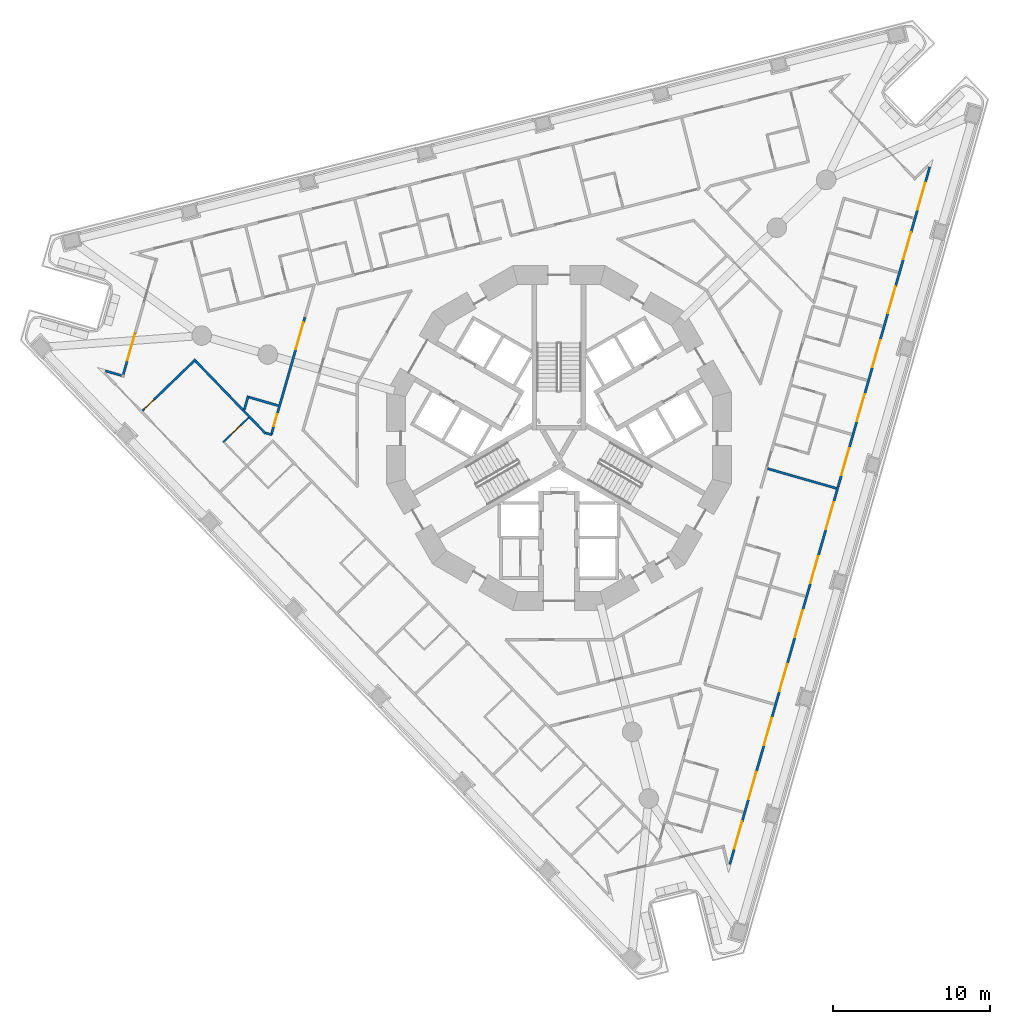
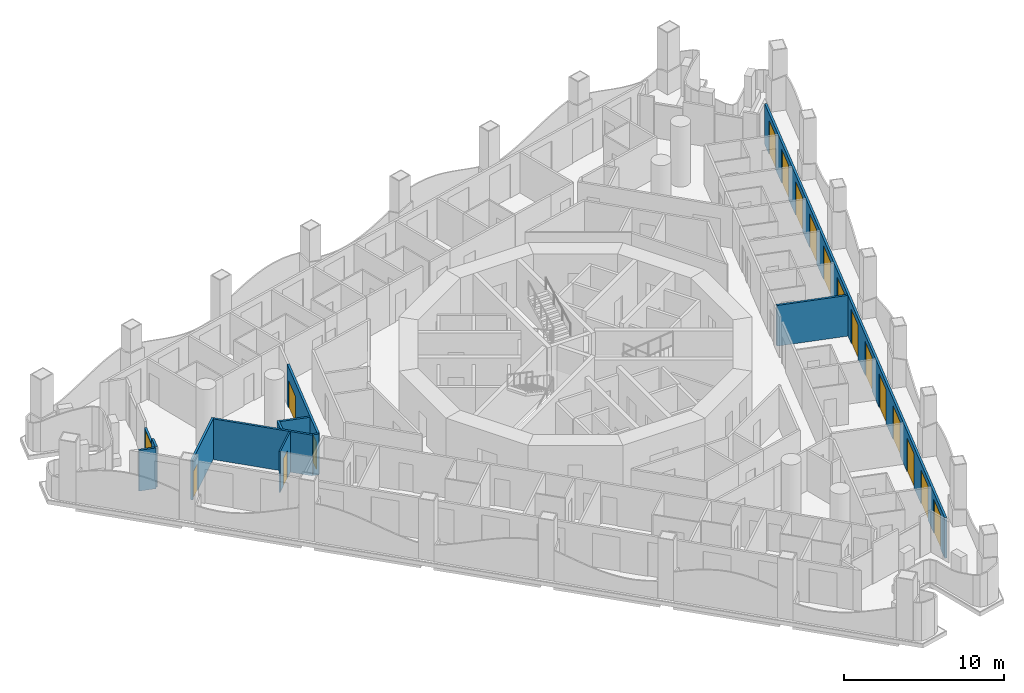
# One storey, part 6 of 20: 18 doors, 12 walls, 18 openings.
"""IFC4 building model written with IfcOpenShell, lengths in metres."""

import ifcopenshell
import ifcopenshell.guid

model = None  # the IFC model being written
_history = None  # IfcOwnerHistory: only IFC2X3 demands one
_inside = {}  # id of a spatial element -> (the spatial element, [elements in it])
_under = {}  # id of a project, library or spatial element -> (it, [spatial elements below it])
_declared = {}  # id of a project -> (the project, [libraries it declares])
_typed = {}  # id of a type object -> (the type object, [elements of that type])
_made_of = {}  # id of a material, layer set ... -> (it, [elements and type objects made of it])


def new_model(schema):
    """Start an empty IFC model of exactly this schema.

    Asked for "IFC4X3", IfcOpenShell would pick the latest addendum, in which some entities
    have other attributes; the version numbers below select the first issue.
    IFC2X3 requires an IfcOwnerHistory on every rooted entity: one is made here for all.
    """
    global model, _history
    if schema == "IFC4X3":
        model = ifcopenshell.file(schema_version=(4, 3, 0, 0))
    else:
        model = ifcopenshell.file(schema=schema)
    _inside.clear()
    _under.clear()
    _declared.clear()
    _typed.clear()
    _made_of.clear()
    _history = None
    if model.schema == "IFC2X3":
        org = make("IfcOrganization", Name="unknown")
        user = make(
            "IfcPersonAndOrganization",
            ThePerson=make("IfcPerson", FamilyName="unknown"),
            TheOrganization=org,
        )
        app = make(
            "IfcApplication",
            ApplicationDeveloper=org,
            Version="unknown",
            ApplicationFullName="unknown",
            ApplicationIdentifier="unknown",
        )
        _history = make(
            "IfcOwnerHistory",
            OwningUser=user,
            OwningApplication=app,
            ChangeAction="ADDED",
            CreationDate=0,
        )
    return model


def make(cls, **values):
    """One entity of the class cls with the attributes given. An attribute that is None is left unset."""
    return model.create_entity(
        cls, **{name: value for name, value in values.items() if value is not None}
    )


def rooted(cls, **values):
    """An entity with a GlobalId (a new one), such as an element, a storey or a relation."""
    return make(cls, GlobalId=ifcopenshell.guid.new(), OwnerHistory=_history, **values)


def si_unit(unit_type, name, prefix=None):
    """IfcSIUnit, for example si_unit("LENGTHUNIT", "METRE", prefix="MILLI")."""
    return make("IfcSIUnit", UnitType=unit_type, Prefix=prefix, Name=name)


def assignment(units):
    """IfcUnitAssignment: the units of a project."""
    return None if units is None else make("IfcUnitAssignment", Units=units)


def point(xyz):
    """IfcCartesianPoint."""
    return None if xyz is None else make("IfcCartesianPoint", Coordinates=xyz)


def direction(xyz):
    """IfcDirection."""
    return None if xyz is None else make("IfcDirection", DirectionRatios=xyz)


def frame(location, z_axis=None, x_axis=None):
    """IfcAxis2Placement3D, a coordinate frame: its origin and axes. An axis left out is left unset."""
    return make(
        "IfcAxis2Placement3D",
        Location=point(location),
        Axis=direction(z_axis),
        RefDirection=direction(x_axis),
    )


def frame_2d(location, x_axis=None):
    """IfcAxis2Placement2D, a coordinate frame in the plane: its origin and x axis."""
    return make(
        "IfcAxis2Placement2D", Location=point(location), RefDirection=direction(x_axis)
    )


def origin():
    """The frame at (0, 0, 0) with its axes left unset."""
    return frame((0.0, 0.0, 0.0))


def place(relative_to, where):
    """IfcLocalPlacement: puts the frame where relative to a parent placement (None: the world)."""
    return make(
        "IfcLocalPlacement", PlacementRelTo=relative_to, RelativePlacement=where
    )


def context(
    kind, dimensions, precision=None, world=None, true_north=None, identifier=None
):
    """IfcGeometricRepresentationContext, for example the 3D "Model" context."""
    return make(
        "IfcGeometricRepresentationContext",
        ContextIdentifier=identifier,
        ContextType=kind,
        CoordinateSpaceDimension=dimensions,
        Precision=precision,
        WorldCoordinateSystem=world,
        TrueNorth=true_north,
    )


def subcontext(parent, identifier, kind, view, scale=None):
    """IfcGeometricRepresentationSubContext, for example "Body" below "Model"."""
    return make(
        "IfcGeometricRepresentationSubContext",
        ContextIdentifier=identifier,
        ContextType=kind,
        ParentContext=parent,
        TargetScale=scale,
        TargetView=view,
    )


def project(units=None, contexts=None):
    """IfcProject with its units and contexts."""
    return rooted(
        "IfcProject",
        Name="project",
        RepresentationContexts=contexts,
        UnitsInContext=assignment(units),
    )


def spatial(cls, under=None, at=None, **own):
    """A site, building, storey or space (cls), placed at a placement, below another one or the project."""
    s = rooted(cls, ObjectPlacement=at, **own)
    if under is not None:
        _under.setdefault(under.id(), (under, []))[1].append(s)
    return s


def polyline(points):
    """IfcPolyline through the points."""
    return make("IfcPolyline", Points=[point(p) for p in points])


def profile(cls, at=None, kind="AREA", **sizes):
    """A parametric profile (cls). Its sizes go by their IFC names, for example OverallWidth=200.0."""
    return make(cls, ProfileType=kind, Position=at, **sizes)


def rectangle(**sizes):
    """IfcRectangleProfileDef."""
    return profile("IfcRectangleProfileDef", **sizes)


def outline(outer, holes=None, kind="AREA"):
    """IfcArbitraryClosedProfileDef: a profile drawn as a closed curve; with holes, ...WithVoids."""
    if holes is None:
        return make("IfcArbitraryClosedProfileDef", ProfileType=kind, OuterCurve=outer)
    return make(
        "IfcArbitraryProfileDefWithVoids",
        ProfileType=kind,
        OuterCurve=outer,
        InnerCurves=holes,
    )


def extrude(swept, where, along, depth):
    """IfcExtrudedAreaSolid: the profile swept, set in the frame where, extruded along a direction by depth."""
    return make(
        "IfcExtrudedAreaSolid",
        SweptArea=swept,
        Position=where,
        ExtrudedDirection=direction(along),
        Depth=depth,
    )


def shape(context_of_items, identifier, shape_type, items):
    """IfcShapeRepresentation: the items that make up one representation, for example the "Body"."""
    return make(
        "IfcShapeRepresentation",
        ContextOfItems=context_of_items,
        RepresentationIdentifier=identifier,
        RepresentationType=shape_type,
        Items=items,
    )


def material(Name=None, Category=None):
    """IfcMaterial."""
    return make("IfcMaterial", Name=Name, Category=Category)


def layer(
    of_material, thickness, ventilated=None, Name=None, Category=None, Priority=None
):
    """IfcMaterialLayer: one layer of a wall or slab, of a material (None: an air gap)."""
    return make(
        "IfcMaterialLayer",
        Material=of_material,
        LayerThickness=thickness,
        IsVentilated=ventilated,
        Name=Name,
        Category=Category,
        Priority=Priority,
    )


def layer_set(layers, Name=None):
    """IfcMaterialLayerSet."""
    return make("IfcMaterialLayerSet", MaterialLayers=layers, LayerSetName=Name)


def made_of(thing, what):
    """Note that an element or type object is made of a material, layer set ...; save() writes the relation."""
    if what is not None:
        _made_of.setdefault(what.id(), (what, []))[1].append(thing)
    return thing


def type_object(cls, material=None, **own):
    """A type object (cls), such as IfcWallType, which elements share."""
    return made_of(rooted(cls, **own), material)


def element(
    cls,
    number,
    at=None,
    inside=None,
    cuts=None,
    type_object=None,
    material=None,
    context=None,
    identifier="Body",
    shape_type=None,
    held_by="IfcProductDefinitionShape",
    body=None,
    shapes=None,
    **own,
):
    """One element of the class cls, such as IfcWall. Its Tag is "e" and its number.

    at: its placement. inside: the storey or other place that contains it. cuts: it is an
    opening in that element (IfcRelVoidsElement). A single representation is given by context,
    identifier, shape_type and body (its items); several are given by shapes. held_by: the class
    of the entity that holds the representations. save() writes the other relations.
    """
    e = rooted(cls, Tag="e%d" % number, ObjectPlacement=at, **own)
    if body is not None:
        shapes = [shape(context, identifier, shape_type, body)]
    if shapes is not None:
        e.Representation = make(held_by, Representations=shapes)
    if inside is not None:
        _inside.setdefault(inside.id(), (inside, []))[1].append(e)
    if cuts is not None:
        rooted(
            "IfcRelVoidsElement", RelatingBuildingElement=cuts, RelatedOpeningElement=e
        )
    if type_object is not None:
        _typed.setdefault(type_object.id(), (type_object, []))[1].append(e)
    return made_of(e, material)


def fill(opening, filler):
    """IfcRelFillsElement: the door or window that sits in an opening."""
    return rooted(
        "IfcRelFillsElement",
        RelatingOpeningElement=opening,
        RelatedBuildingElement=filler,
    )


def aggregate(whole, parts):
    """IfcRelAggregates: a whole, such as a stair, and the parts it consists of."""
    return rooted("IfcRelAggregates", RelatingObject=whole, RelatedObjects=parts)


def save(model, path):
    """Write the relations noted so far, then the file.

    IfcRelAggregates (storeys below a building ...), IfcRelContainedInSpatialStructure (elements
    in a storey), IfcRelDefinesByType, IfcRelAssociatesMaterial and IfcRelDeclares: one each for
    every whole, place, type object, material and project.
    """
    for whole, parts in _under.values():
        aggregate(whole, parts)
    for where, things in _inside.values():
        rooted(
            "IfcRelContainedInSpatialStructure",
            RelatedElements=things,
            RelatingStructure=where,
        )
    for kind, things in _typed.values():
        rooted("IfcRelDefinesByType", RelatedObjects=things, RelatingType=kind)
    for what, things in _made_of.values():
        rooted("IfcRelAssociatesMaterial", RelatedObjects=things, RelatingMaterial=what)
    for by, libraries in _declared.values():
        rooted("IfcRelDeclares", RelatingContext=by, RelatedDefinitions=libraries)
    model.write(path)


model = new_model("IFC4")

# Units and contexts
model_context = context("Model", 3, precision=1e-05, world=origin(), true_north=direction((0.0, 1.0)))
body_context = subcontext(model_context, "Body", "Model", "MODEL_VIEW")
ifc_project = project(units=[si_unit("LENGTHUNIT", "METRE"), si_unit("AREAUNIT", "SQUARE_METRE"), si_unit("VOLUMEUNIT", "CUBIC_METRE"), si_unit("PLANEANGLEUNIT", "RADIAN"), si_unit("MASSUNIT", "GRAM", prefix="KILO")], contexts=[model_context])

# Site, building, storey
site_placement = place(None, origin())
site = spatial("IfcSite", under=ifc_project, at=site_placement, CompositionType="ELEMENT")
building_placement = place(site_placement, origin())
building = spatial("IfcBuilding", under=site, at=building_placement, Name="Trine Commons Tower", CompositionType="ELEMENT")
storey_placement = place(building_placement, frame((0.0, 0.0, 116.10009765625)))
storey = spatial("IfcBuildingStorey", under=building, at=storey_placement, Name="L29", CompositionType="ELEMENT", Elevation=116.10009765625)

# Walls
ifc_material_1 = material(Name="Aluminium-framed insulated wall panel", Category="aluminium")
ifc_layer_1 = layer(ifc_material_1, 0.14990234375)
ifc_layer_set_1 = layer_set([ifc_layer_1], Name="Aluminium-framed insulated wall panel")
wall_type_1 = type_object("IfcWallType", Name="Glazed frame wall 150, EI 60", PredefinedType="SOLIDWALL", material=ifc_layer_set_1)
wall_1_placement = place(storey_placement, frame((50.88232421875, 66.82861328125, 0.0), z_axis=(0.0, 0.0, 1.0), x_axis=(0.961290718071, -0.275536123495, 0.0)))
element("IfcWall", 1, at=wall_1_placement, inside=storey, type_object=wall_type_1, Name="Glazed frame wall R1", PredefinedType="SOLIDWALL", context=body_context, shape_type="SweptSolid", body=[
    extrude(outline(polyline([(0.1494140625, 0.074951171875), (0.1494140625, -0.074951171875), (1.235107421875, -0.074951171875), (1.235107421875, 0.074951171875), (0.1494140625, 0.074951171875)])), origin(), (0.0, 0.0, 1.0), 3.099853515625),
])
wall_2_placement = place(storey_placement, frame((52.1318359375, 66.433837890625, 0.0), z_axis=(0.0, 0.0, 1.0), x_axis=(0.27588175927, 0.961191580749, 0.0)))
element("IfcWall", 2, at=wall_2_placement, inside=storey, type_object=wall_type_1, Name="Glazed frame wall P1.1", PredefinedType="SOLIDWALL", context=body_context, shape_type="SweptSolid", body=[
    extrude(outline(polyline([(0.110107421875, -0.074951171875), (1.0, -0.074951171875), (1.0, 0.074951171875), (0.110107421875, 0.074951171875), (0.110107421875, -0.074951171875)])), origin(), (0.0, 0.0, 1.0), 3.099853515625),
])

# Wall, opening, door
wall_3_placement = place(storey_placement, frame((52.40771484375, 67.39501953125, 0.0), z_axis=(0.0, 0.0, 1.0), x_axis=(0.275620468433, 0.961266538157, 0.0)))
wall_3 = element("IfcWall", 3, at=wall_3_placement, inside=storey, type_object=wall_type_1, Name="Glazed frame wall P1.2", PredefinedType="SOLIDWALL", context=body_context, shape_type="SweptSolid", body=[
    extrude(outline(polyline([(0.0, -0.074951171875), (1.89990234375, -0.074951171875), (1.89990234375, 0.074951171875), (0.0, 0.074951171875), (0.0, -0.074951171875)])), origin(), (0.0, 0.0, 1.0), 2.64990234375),
])
opening_1_placement = place(wall_3_placement, frame((0.050048828125, 0.0, 0.0)))
opening_1 = element("IfcOpeningElement", 4, at=opening_1_placement, cuts=wall_3, Name="Opening BD-3P1-01", PredefinedType="OPENING", context=body_context, shape_type="SweptSolid", body=[
    extrude(rectangle(XDim=1.800048828125, YDim=2.60009765625, at=frame_2d((0.89990234375, 1.300048828125))), frame((0.0, 0.0849609375, 0.0), z_axis=(0.0, -1.0, 0.0), x_axis=(1.0, 0.0, 0.0)), (0.0, 0.0, 1.0), 0.169921875),
])
ifc_material_2 = material(Name="Anodised aluminium frame with double glazing", Category="aluminium")
door_type_1 = type_object("IfcDoorType", Name="Sliding loggia door 1800x2600", OperationType="SLIDING_TO_LEFT", PredefinedType="DOOR", material=ifc_material_2)
door_1_placement = place(opening_1_placement, origin())
door_1 = element("IfcDoor", 5, at=door_1_placement, inside=storey, type_object=door_type_1, Name="Loggia door P1 1", OperationType="SLIDING_TO_LEFT", OverallHeight=2.60009765625, OverallWidth=1.800048828125, PredefinedType="DOOR", context=body_context, shape_type="SweptSolid", body=[
    extrude(rectangle(XDim=1.800048828125, YDim=2.60009765625, at=frame_2d((0.89990234375, 1.300048828125))), frame((0.0, 0.02490234375, 0.0), z_axis=(0.0, -1.0, 0.0), x_axis=(1.0, 0.0, 0.0)), (0.0, 0.0, 1.0), 0.050048828125),
])
fill(opening_1, door_1)

# Wall, openings, doors
wall_4_placement = place(storey_placement, frame((103.735107421875, 79.95703125, 0.0), z_axis=(0.0, 0.0, 1.0), x_axis=(-0.275637625225, -0.961261618687, 0.0)))
wall_4 = element("IfcWall", 6, at=wall_4_placement, inside=storey, type_object=wall_type_1, Name="Glazed frame wall F2", PredefinedType="SOLIDWALL", context=body_context, shape_type="SweptSolid", body=[
    extrude(outline(polyline([(0.1494140625, 0.074951171875), (0.1494140625, -0.074951171875), (46.496826171875, -0.074951171875), (46.496826171875, 0.074951171875), (0.1494140625, 0.074951171875)])), origin(), (0.0, 0.0, 1.0), 3.099853515625),
])
opening_2_placement = place(wall_4_placement, frame((1.194091796875, 0.0, 0.0)))
opening_2 = element("IfcOpeningElement", 7, at=opening_2_placement, cuts=wall_4, Name="Opening BD-3F2-01", PredefinedType="OPENING", context=body_context, shape_type="SweptSolid", body=[
    extrude(rectangle(XDim=1.800048828125, YDim=2.60009765625, at=frame_2d((0.89990234375, 1.300048828125))), frame((0.0, 0.0849609375, 0.0), z_axis=(0.0, -1.0, 0.0), x_axis=(1.0, 0.0, 0.0)), (0.0, 0.0, 1.0), 0.169921875),
])
opening_3_placement = place(wall_4_placement, frame((4.482421875, 0.0, 0.0)))
opening_3 = element("IfcOpeningElement", 8, at=opening_3_placement, cuts=wall_4, Name="Opening BD-3F2-02", PredefinedType="OPENING", context=body_context, shape_type="SweptSolid", body=[
    extrude(rectangle(XDim=1.800048828125, YDim=2.60009765625, at=frame_2d((0.89990234375, 1.300048828125))), frame((0.0, 0.0849609375, 0.0), z_axis=(0.0, -1.0, 0.0), x_axis=(1.0, 0.0, 0.0)), (0.0, 0.0, 1.0), 0.169921875),
])
opening_4_placement = place(wall_4_placement, frame((8.070556640625, 0.0, 0.0)))
opening_4 = element("IfcOpeningElement", 9, at=opening_4_placement, cuts=wall_4, Name="Opening BD-3F2-03", PredefinedType="OPENING", context=body_context, shape_type="SweptSolid", body=[
    extrude(rectangle(XDim=1.800048828125, YDim=2.60009765625, at=frame_2d((0.89990234375, 1.300048828125))), frame((0.0, 0.0849609375, 0.0), z_axis=(0.0, -1.0, 0.0), x_axis=(1.0, 0.0, 0.0)), (0.0, 0.0, 1.0), 0.169921875),
])
opening_5_placement = place(wall_4_placement, frame((11.65869140625, 0.0, 0.0)))
opening_5 = element("IfcOpeningElement", 10, at=opening_5_placement, cuts=wall_4, Name="Opening BD-3F2-04", PredefinedType="OPENING", context=body_context, shape_type="SweptSolid", body=[
    extrude(rectangle(XDim=1.800048828125, YDim=2.60009765625, at=frame_2d((0.89990234375, 1.300048828125))), frame((0.0, 0.0849609375, 0.0), z_axis=(0.0, -1.0, 0.0), x_axis=(1.0, 0.0, 0.0)), (0.0, 0.0, 1.0), 0.169921875),
])
opening_6_placement = place(wall_4_placement, frame((15.246826171875, 0.0, 0.0)))
opening_6 = element("IfcOpeningElement", 11, at=opening_6_placement, cuts=wall_4, Name="Opening BD-3F2-05", PredefinedType="OPENING", context=body_context, shape_type="SweptSolid", body=[
    extrude(rectangle(XDim=1.800048828125, YDim=2.60009765625, at=frame_2d((0.89990234375, 1.300048828125))), frame((0.0, 0.0849609375, 0.0), z_axis=(0.0, -1.0, 0.0), x_axis=(1.0, 0.0, 0.0)), (0.0, 0.0, 1.0), 0.169921875),
])
opening_7_placement = place(wall_4_placement, frame((18.835205078125, 0.0, 0.0)))
opening_7 = element("IfcOpeningElement", 12, at=opening_7_placement, cuts=wall_4, Name="Opening BD-3F2-06", PredefinedType="OPENING", context=body_context, shape_type="SweptSolid", body=[
    extrude(rectangle(XDim=1.800048828125, YDim=2.60009765625, at=frame_2d((0.89990234375, 1.300048828125))), frame((0.0, 0.0849609375, 0.0), z_axis=(0.0, -1.0, 0.0), x_axis=(1.0, 0.0, 0.0)), (0.0, 0.0, 1.0), 0.169921875),
])
opening_8_placement = place(wall_4_placement, frame((22.42333984375, 0.0, 0.0)))
opening_8 = element("IfcOpeningElement", 13, at=opening_8_placement, cuts=wall_4, Name="Opening BD-3F2-07", PredefinedType="OPENING", context=body_context, shape_type="SweptSolid", body=[
    extrude(rectangle(XDim=1.800048828125, YDim=2.60009765625, at=frame_2d((0.89990234375, 1.300048828125))), frame((0.0, 0.0849609375, 0.0), z_axis=(0.0, -1.0, 0.0), x_axis=(1.0, 0.0, 0.0)), (0.0, 0.0, 1.0), 0.169921875),
])
opening_9_placement = place(wall_4_placement, frame((26.011474609375, 0.0, 0.0)))
opening_9 = element("IfcOpeningElement", 14, at=opening_9_placement, cuts=wall_4, Name="Opening BD-3F2-08", PredefinedType="OPENING", context=body_context, shape_type="SweptSolid", body=[
    extrude(rectangle(XDim=1.800048828125, YDim=2.60009765625, at=frame_2d((0.89990234375, 1.300048828125))), frame((0.0, 0.0849609375, 0.0), z_axis=(0.0, -1.0, 0.0), x_axis=(1.0, 0.0, 0.0)), (0.0, 0.0, 1.0), 0.169921875),
])
opening_10_placement = place(wall_4_placement, frame((29.599609375, 0.0, 0.0)))
opening_10 = element("IfcOpeningElement", 15, at=opening_10_placement, cuts=wall_4, Name="Opening BD-3F2-09", PredefinedType="OPENING", context=body_context, shape_type="SweptSolid", body=[
    extrude(rectangle(XDim=1.800048828125, YDim=2.60009765625, at=frame_2d((0.89990234375, 1.300048828125))), frame((0.0, 0.0849609375, 0.0), z_axis=(0.0, -1.0, 0.0), x_axis=(1.0, 0.0, 0.0)), (0.0, 0.0, 1.0), 0.169921875),
])
opening_11_placement = place(wall_4_placement, frame((33.18798828125, 0.0, 0.0)))
opening_11 = element("IfcOpeningElement", 16, at=opening_11_placement, cuts=wall_4, Name="Opening BD-3F2-10", PredefinedType="OPENING", context=body_context, shape_type="SweptSolid", body=[
    extrude(rectangle(XDim=1.800048828125, YDim=2.60009765625, at=frame_2d((0.89990234375, 1.300048828125))), frame((0.0, 0.0849609375, 0.0), z_axis=(0.0, -1.0, 0.0), x_axis=(1.0, 0.0, 0.0)), (0.0, 0.0, 1.0), 0.169921875),
])
opening_12_placement = place(wall_4_placement, frame((36.776123046875, 0.0, 0.0)))
opening_12 = element("IfcOpeningElement", 17, at=opening_12_placement, cuts=wall_4, Name="Opening BD-3F2-11", PredefinedType="OPENING", context=body_context, shape_type="SweptSolid", body=[
    extrude(rectangle(XDim=1.800048828125, YDim=2.60009765625, at=frame_2d((0.89990234375, 1.300048828125))), frame((0.0, 0.0849609375, 0.0), z_axis=(0.0, -1.0, 0.0), x_axis=(1.0, 0.0, 0.0)), (0.0, 0.0, 1.0), 0.169921875),
])
opening_13_placement = place(wall_4_placement, frame((40.3642578125, 0.0, 0.0)))
opening_13 = element("IfcOpeningElement", 18, at=opening_13_placement, cuts=wall_4, Name="Opening BD-3F2-12", PredefinedType="OPENING", context=body_context, shape_type="SweptSolid", body=[
    extrude(rectangle(XDim=1.800048828125, YDim=2.60009765625, at=frame_2d((0.89990234375, 1.300048828125))), frame((0.0, 0.0849609375, 0.0), z_axis=(0.0, -1.0, 0.0), x_axis=(1.0, 0.0, 0.0)), (0.0, 0.0, 1.0), 0.169921875),
])
opening_14_placement = place(wall_4_placement, frame((43.652587890625, 0.0, 0.0)))
opening_14 = element("IfcOpeningElement", 19, at=opening_14_placement, cuts=wall_4, Name="Opening BD-3F2-13", PredefinedType="OPENING", context=body_context, shape_type="SweptSolid", body=[
    extrude(rectangle(XDim=1.800048828125, YDim=2.60009765625, at=frame_2d((0.89990234375, 1.300048828125))), frame((0.0, 0.0849609375, 0.0), z_axis=(0.0, -1.0, 0.0), x_axis=(1.0, 0.0, 0.0)), (0.0, 0.0, 1.0), 0.169921875),
])
door_2_placement = place(opening_2_placement, origin())
door_2 = element("IfcDoor", 20, at=door_2_placement, inside=storey, type_object=door_type_1, Name="Loggia door F2 1", OperationType="SLIDING_TO_LEFT", OverallHeight=2.60009765625, OverallWidth=1.800048828125, PredefinedType="DOOR", context=body_context, shape_type="SweptSolid", body=[
    extrude(rectangle(XDim=1.800048828125, YDim=2.60009765625, at=frame_2d((0.89990234375, 1.300048828125))), frame((0.0, 0.02490234375, 0.0), z_axis=(0.0, -1.0, 0.0), x_axis=(1.0, 0.0, 0.0)), (0.0, 0.0, 1.0), 0.050048828125),
])
fill(opening_2, door_2)
door_3_placement = place(opening_3_placement, origin())
door_3 = element("IfcDoor", 21, at=door_3_placement, inside=storey, type_object=door_type_1, Name="Loggia door F2 2", OperationType="SLIDING_TO_LEFT", OverallHeight=2.60009765625, OverallWidth=1.800048828125, PredefinedType="DOOR", context=body_context, shape_type="SweptSolid", body=[
    extrude(rectangle(XDim=1.800048828125, YDim=2.60009765625, at=frame_2d((0.89990234375, 1.300048828125))), frame((0.0, 0.02490234375, 0.0), z_axis=(0.0, -1.0, 0.0), x_axis=(1.0, 0.0, 0.0)), (0.0, 0.0, 1.0), 0.050048828125),
])
fill(opening_3, door_3)
door_4_placement = place(opening_4_placement, origin())
door_4 = element("IfcDoor", 22, at=door_4_placement, inside=storey, type_object=door_type_1, Name="Loggia door F2 3", OperationType="SLIDING_TO_LEFT", OverallHeight=2.60009765625, OverallWidth=1.800048828125, PredefinedType="DOOR", context=body_context, shape_type="SweptSolid", body=[
    extrude(rectangle(XDim=1.800048828125, YDim=2.60009765625, at=frame_2d((0.89990234375, 1.300048828125))), frame((0.0, 0.02490234375, 0.0), z_axis=(0.0, -1.0, 0.0), x_axis=(1.0, 0.0, 0.0)), (0.0, 0.0, 1.0), 0.050048828125),
])
fill(opening_4, door_4)
door_5_placement = place(opening_5_placement, origin())
door_5 = element("IfcDoor", 23, at=door_5_placement, inside=storey, type_object=door_type_1, Name="Loggia door F2 4", OperationType="SLIDING_TO_LEFT", OverallHeight=2.60009765625, OverallWidth=1.800048828125, PredefinedType="DOOR", context=body_context, shape_type="SweptSolid", body=[
    extrude(rectangle(XDim=1.800048828125, YDim=2.60009765625, at=frame_2d((0.89990234375, 1.300048828125))), frame((0.0, 0.02490234375, 0.0), z_axis=(0.0, -1.0, 0.0), x_axis=(1.0, 0.0, 0.0)), (0.0, 0.0, 1.0), 0.050048828125),
])
fill(opening_5, door_5)
door_6_placement = place(opening_6_placement, origin())
door_6 = element("IfcDoor", 24, at=door_6_placement, inside=storey, type_object=door_type_1, Name="Loggia door F2 5", OperationType="SLIDING_TO_LEFT", OverallHeight=2.60009765625, OverallWidth=1.800048828125, PredefinedType="DOOR", context=body_context, shape_type="SweptSolid", body=[
    extrude(rectangle(XDim=1.800048828125, YDim=2.60009765625, at=frame_2d((0.89990234375, 1.300048828125))), frame((0.0, 0.02490234375, 0.0), z_axis=(0.0, -1.0, 0.0), x_axis=(1.0, 0.0, 0.0)), (0.0, 0.0, 1.0), 0.050048828125),
])
fill(opening_6, door_6)
door_7_placement = place(opening_7_placement, origin())
door_7 = element("IfcDoor", 25, at=door_7_placement, inside=storey, type_object=door_type_1, Name="Loggia door F2 6", OperationType="SLIDING_TO_LEFT", OverallHeight=2.60009765625, OverallWidth=1.800048828125, PredefinedType="DOOR", context=body_context, shape_type="SweptSolid", body=[
    extrude(rectangle(XDim=1.800048828125, YDim=2.60009765625, at=frame_2d((0.89990234375, 1.300048828125))), frame((0.0, 0.02490234375, 0.0), z_axis=(0.0, -1.0, 0.0), x_axis=(1.0, 0.0, 0.0)), (0.0, 0.0, 1.0), 0.050048828125),
])
fill(opening_7, door_7)
door_8_placement = place(opening_8_placement, origin())
door_8 = element("IfcDoor", 26, at=door_8_placement, inside=storey, type_object=door_type_1, Name="Loggia door F2 7", OperationType="SLIDING_TO_LEFT", OverallHeight=2.60009765625, OverallWidth=1.800048828125, PredefinedType="DOOR", context=body_context, shape_type="SweptSolid", body=[
    extrude(rectangle(XDim=1.800048828125, YDim=2.60009765625, at=frame_2d((0.89990234375, 1.300048828125))), frame((0.0, 0.02490234375, 0.0), z_axis=(0.0, -1.0, 0.0), x_axis=(1.0, 0.0, 0.0)), (0.0, 0.0, 1.0), 0.050048828125),
])
fill(opening_8, door_8)
door_9_placement = place(opening_9_placement, origin())
door_9 = element("IfcDoor", 27, at=door_9_placement, inside=storey, type_object=door_type_1, Name="Loggia door F2 8", OperationType="SLIDING_TO_LEFT", OverallHeight=2.60009765625, OverallWidth=1.800048828125, PredefinedType="DOOR", context=body_context, shape_type="SweptSolid", body=[
    extrude(rectangle(XDim=1.800048828125, YDim=2.60009765625, at=frame_2d((0.89990234375, 1.300048828125))), frame((0.0, 0.02490234375, 0.0), z_axis=(0.0, -1.0, 0.0), x_axis=(1.0, 0.0, 0.0)), (0.0, 0.0, 1.0), 0.050048828125),
])
fill(opening_9, door_9)
door_10_placement = place(opening_10_placement, origin())
door_10 = element("IfcDoor", 28, at=door_10_placement, inside=storey, type_object=door_type_1, Name="Loggia door F2 9", OperationType="SLIDING_TO_LEFT", OverallHeight=2.60009765625, OverallWidth=1.800048828125, PredefinedType="DOOR", context=body_context, shape_type="SweptSolid", body=[
    extrude(rectangle(XDim=1.800048828125, YDim=2.60009765625, at=frame_2d((0.89990234375, 1.300048828125))), frame((0.0, 0.02490234375, 0.0), z_axis=(0.0, -1.0, 0.0), x_axis=(1.0, 0.0, 0.0)), (0.0, 0.0, 1.0), 0.050048828125),
])
fill(opening_10, door_10)
door_11_placement = place(opening_11_placement, origin())
door_11 = element("IfcDoor", 29, at=door_11_placement, inside=storey, type_object=door_type_1, Name="Loggia door F2 10", OperationType="SLIDING_TO_LEFT", OverallHeight=2.60009765625, OverallWidth=1.800048828125, PredefinedType="DOOR", context=body_context, shape_type="SweptSolid", body=[
    extrude(rectangle(XDim=1.800048828125, YDim=2.60009765625, at=frame_2d((0.89990234375, 1.300048828125))), frame((0.0, 0.02490234375, 0.0), z_axis=(0.0, -1.0, 0.0), x_axis=(1.0, 0.0, 0.0)), (0.0, 0.0, 1.0), 0.050048828125),
])
fill(opening_11, door_11)
door_12_placement = place(opening_12_placement, origin())
door_12 = element("IfcDoor", 30, at=door_12_placement, inside=storey, type_object=door_type_1, Name="Loggia door F2 11", OperationType="SLIDING_TO_LEFT", OverallHeight=2.60009765625, OverallWidth=1.800048828125, PredefinedType="DOOR", context=body_context, shape_type="SweptSolid", body=[
    extrude(rectangle(XDim=1.800048828125, YDim=2.60009765625, at=frame_2d((0.89990234375, 1.300048828125))), frame((0.0, 0.02490234375, 0.0), z_axis=(0.0, -1.0, 0.0), x_axis=(1.0, 0.0, 0.0)), (0.0, 0.0, 1.0), 0.050048828125),
])
fill(opening_12, door_12)
door_13_placement = place(opening_13_placement, origin())
door_13 = element("IfcDoor", 31, at=door_13_placement, inside=storey, type_object=door_type_1, Name="Loggia door F2 12", OperationType="SLIDING_TO_LEFT", OverallHeight=2.60009765625, OverallWidth=1.800048828125, PredefinedType="DOOR", context=body_context, shape_type="SweptSolid", body=[
    extrude(rectangle(XDim=1.800048828125, YDim=2.60009765625, at=frame_2d((0.89990234375, 1.300048828125))), frame((0.0, 0.02490234375, 0.0), z_axis=(0.0, -1.0, 0.0), x_axis=(1.0, 0.0, 0.0)), (0.0, 0.0, 1.0), 0.050048828125),
])
fill(opening_13, door_13)
door_14_placement = place(opening_14_placement, origin())
door_14 = element("IfcDoor", 32, at=door_14_placement, inside=storey, type_object=door_type_1, Name="Loggia door F2 13", OperationType="SLIDING_TO_LEFT", OverallHeight=2.60009765625, OverallWidth=1.800048828125, PredefinedType="DOOR", context=body_context, shape_type="SweptSolid", body=[
    extrude(rectangle(XDim=1.800048828125, YDim=2.60009765625, at=frame_2d((0.89990234375, 1.300048828125))), frame((0.0, 0.02490234375, 0.0), z_axis=(0.0, -1.0, 0.0), x_axis=(1.0, 0.0, 0.0)), (0.0, 0.0, 1.0), 0.050048828125),
])
fill(opening_14, door_14)

# Wall, opening, door
ifc_material_3 = material(Name="Gypsum plasterboard on steel stud", Category="steel")
ifc_layer_2 = layer(ifc_material_3, 0.14990234375)
ifc_layer_set_2 = layer_set([ifc_layer_2], Name="Gypsum plasterboard on steel stud")
wall_type_2 = type_object("IfcWallType", Name="Unit and corridor wall 150 mm, EI 60", PredefinedType="PARTITIONING", material=ifc_layer_set_2)
wall_5_placement = place(storey_placement, frame((53.393798828125, 64.24169921875, 0.0), z_axis=(0.0, 0.0, 1.0), x_axis=(0.719250925674, 0.694750391088, 0.0)))
wall_5 = element("IfcWall", 33, at=wall_5_placement, inside=storey, type_object=wall_type_2, Name="Partition 001", PredefinedType="PARTITIONING", context=body_context, shape_type="SweptSolid", body=[
    extrude(rectangle(XDim=4.723388671875, YDim=0.14990234375, at=frame_2d((2.36181640625, 0.0))), origin(), (0.0, 0.0, 1.0), 3.099853515625),
])
opening_15_placement = place(wall_5_placement, frame((0.14990234375, 0.0, 0.0)))
opening_15 = element("IfcOpeningElement", 34, at=opening_15_placement, cuts=wall_5, Name="Opening D-3C33", PredefinedType="OPENING", context=body_context, shape_type="SweptSolid", body=[
    extrude(rectangle(XDim=0.89990234375, YDim=2.10009765625, at=frame_2d((0.449951171875, 1.050048828125))), frame((0.0, 0.0849609375, 0.0), z_axis=(0.0, -1.0, 0.0), x_axis=(1.0, 0.0, 0.0)), (0.0, 0.0, 1.0), 0.169921875),
])
ifc_material_4 = material(Name="Timber fire door set", Category="wood")
door_type_2 = type_object("IfcDoorType", Name="Bedroom door 900 x 2100, FD30S", OperationType="NOTDEFINED", PredefinedType="DOOR", material=ifc_material_4)
door_15_placement = place(opening_15_placement, frame((0.89990234375, 0.0, 0.0), z_axis=(0.0, 0.0, 1.0), x_axis=(-1.0, 0.0, 0.0)))
door_15 = element("IfcDoor", 35, at=door_15_placement, inside=storey, type_object=door_type_2, Name="Door D-3C33", OperationType="SINGLE_SWING_RIGHT", OverallHeight=2.10009765625, OverallWidth=0.89990234375, PredefinedType="DOOR", context=body_context, shape_type="SweptSolid", body=[
    extrude(rectangle(XDim=0.89990234375, YDim=2.10009765625, at=frame_2d((0.449951171875, 1.050048828125))), frame((0.0, 0.02490234375, 0.0), z_axis=(0.0, -1.0, 0.0), x_axis=(1.0, 0.0, 0.0)), (0.0, 0.0, 1.0), 0.050048828125),
])
fill(opening_15, door_15)

# Walls
wall_6_placement = place(storey_placement, frame((56.7890625, 67.4169921875, 0.0), z_axis=(0.0, 0.0, 1.0), x_axis=(0.694658112977, -0.719340048986, 0.0)))
element("IfcWall", 36, at=wall_6_placement, inside=storey, type_object=wall_type_2, Name="Partition 003", PredefinedType="PARTITIONING", context=body_context, shape_type="SweptSolid", body=[
    extrude(rectangle(XDim=6.439453125, YDim=0.14990234375, at=frame_2d((3.2197265625, 0.0))), origin(), (0.0, 0.0, 1.0), 3.099853515625),
])
wall_7_placement = place(storey_placement, frame((59.8935546875, 64.295166015625, 0.0), z_axis=(0.0, 0.0, 1.0), x_axis=(0.275099226296, 0.96141583911, 0.0)))
element("IfcWall", 37, at=wall_7_placement, inside=storey, type_object=wall_type_2, Name="Partition 011", PredefinedType="PARTITIONING", context=body_context, shape_type="SweptSolid", body=[
    extrude(rectangle(XDim=0.93798828125, YDim=0.14990234375, at=frame_2d((0.468994140625, 0.0))), origin(), (0.0, 0.0, 1.0), 3.099853515625),
])
wall_8_placement = place(storey_placement, frame((60.203125, 65.104248046875, 0.0), z_axis=(0.0, 0.0, 1.0), x_axis=(0.961258970078, -0.275646861845, 0.0)))
element("IfcWall", 38, at=wall_8_placement, inside=storey, type_object=wall_type_2, Name="Partition 013", PredefinedType="PARTITIONING", context=body_context, shape_type="SweptSolid", body=[
    extrude(rectangle(XDim=1.9501953125, YDim=0.14990234375, at=frame_2d((0.97509765625, 0.0))), origin(), (0.0, 0.0, 1.0), 3.099853515625),
])
wall_9_placement = place(storey_placement, frame((61.261962890625, 62.823974609375, 0.0), z_axis=(0.0, 0.0, 1.0), x_axis=(0.960829843292, -0.2771389764, 0.0)))
element("IfcWall", 39, at=wall_9_placement, inside=storey, type_object=wall_type_2, Name="Partition 015", PredefinedType="PARTITIONING", context=body_context, shape_type="SweptSolid", body=[
    extrude(rectangle(XDim=0.39990234375, YDim=0.14990234375, at=frame_2d((0.199951171875, 0.0))), origin(), (0.0, 0.0, 1.0), 3.099853515625),
])

# Wall, openings, doors
wall_10_placement = place(storey_placement, frame((61.625, 62.715087890625, 0.0), z_axis=(0.0, 0.0, 1.0), x_axis=(0.275614307244, 0.961268304711, 0.0)))
wall_10 = element("IfcWall", 40, at=wall_10_placement, inside=storey, type_object=wall_type_2, Name="Partition 017", PredefinedType="PARTITIONING", context=body_context, shape_type="SweptSolid", body=[
    extrude(rectangle(XDim=7.796875, YDim=0.14990234375, at=frame_2d((3.8984375, 0.0))), origin(), (0.0, 0.0, 1.0), 3.099853515625),
])
opening_16_placement = place(wall_10_placement, frame((5.67919921875, 0.0, 0.0)))
opening_16 = element("IfcOpeningElement", 41, at=opening_16_placement, cuts=wall_10, Name="Opening D-3C03", PredefinedType="OPENING", context=body_context, shape_type="SweptSolid", body=[
    extrude(rectangle(XDim=1.800048828125, YDim=2.10009765625, at=frame_2d((0.89990234375, 1.050048828125))), frame((0.0, 0.0849609375, 0.0), z_axis=(0.0, -1.0, 0.0), x_axis=(1.0, 0.0, 0.0)), (0.0, 0.0, 1.0), 0.169921875),
])
opening_17_placement = place(wall_10_placement, frame((0.554443359375, 0.0, 0.0)))
opening_17 = element("IfcOpeningElement", 42, at=opening_17_placement, cuts=wall_10, Name="Opening D-3C06", PredefinedType="OPENING", context=body_context, shape_type="SweptSolid", body=[
    extrude(rectangle(XDim=0.800048828125, YDim=2.10009765625, at=frame_2d((0.39990234375, 1.050048828125))), frame((0.0, 0.0849609375, 0.0), z_axis=(0.0, -1.0, 0.0), x_axis=(1.0, 0.0, 0.0)), (0.0, 0.0, 1.0), 0.169921875),
])
door_type_3 = type_object("IfcDoorType", Name="Cluster entrance door 1800 x 2100, double leaf, FD30S", OperationType="DOUBLE_DOOR_DOUBLE_SWING", PredefinedType="DOOR", material=ifc_material_4)
door_16_placement = place(opening_16_placement, origin())
door_16 = element("IfcDoor", 43, at=door_16_placement, inside=storey, type_object=door_type_3, Name="Door D-3C03", OperationType="DOUBLE_DOOR_DOUBLE_SWING", OverallHeight=2.10009765625, OverallWidth=1.800048828125, PredefinedType="DOOR", context=body_context, shape_type="SweptSolid", body=[
    extrude(rectangle(XDim=1.800048828125, YDim=2.10009765625, at=frame_2d((0.89990234375, 1.050048828125))), frame((0.0, 0.02490234375, 0.0), z_axis=(0.0, -1.0, 0.0), x_axis=(1.0, 0.0, 0.0)), (0.0, 0.0, 1.0), 0.050048828125),
])
fill(opening_16, door_16)
ifc_material_5 = material(Name="Painted timber", Category="wood")
door_type_4 = type_object("IfcDoorType", Name="Toilet door 800 x 2100, NOT RATED", OperationType="NOTDEFINED", PredefinedType="DOOR", material=ifc_material_5)
door_17_placement = place(opening_17_placement, origin())
door_17 = element("IfcDoor", 44, at=door_17_placement, inside=storey, type_object=door_type_4, Name="Door D-3C06", OperationType="SINGLE_SWING_LEFT", OverallHeight=2.10009765625, OverallWidth=0.800048828125, PredefinedType="DOOR", context=body_context, shape_type="SweptSolid", body=[
    extrude(rectangle(XDim=0.800048828125, YDim=2.10009765625, at=frame_2d((0.39990234375, 1.050048828125))), frame((0.0, 0.02490234375, 0.0), z_axis=(0.0, -1.0, 0.0), x_axis=(1.0, 0.0, 0.0)), (0.0, 0.0, 1.0), 0.050048828125),
])
fill(opening_17, door_17)

# Wall
wall_11_placement = place(storey_placement, frame((93.3330078125, 60.543212890625, 0.0), z_axis=(0.0, 0.0, 1.0), x_axis=(0.961269673231, -0.275609534171, 0.0)))
element("IfcWall", 45, at=wall_11_placement, inside=storey, type_object=wall_type_2, Name="Partition 131", PredefinedType="PARTITIONING", context=body_context, shape_type="SweptSolid", body=[
    extrude(rectangle(XDim=4.572509765625, YDim=0.14990234375, at=frame_2d((2.2861328125, 0.0))), origin(), (0.0, 0.0, 1.0), 3.099853515625),
])

# Wall, opening, door
ifc_layer_3 = layer(ifc_material_3, 0.10009765625)
ifc_layer_set_3 = layer_set([ifc_layer_3], Name="Gypsum plasterboard on steel stud")
wall_type_3 = type_object("IfcWallType", Name="Unit partition 100 mm, no rating", PredefinedType="PARTITIONING", material=ifc_layer_set_3)
wall_12_placement = place(storey_placement, frame((58.5380859375, 62.222412109375, 0.0), z_axis=(0.0, 0.0, 1.0), x_axis=(0.719390368222, 0.694606002068, 0.0)))
wall_12 = element("IfcWall", 46, at=wall_12_placement, inside=storey, type_object=wall_type_3, Name="Partition 007", PredefinedType="PARTITIONING", context=body_context, shape_type="SweptSolid", body=[
    extrude(rectangle(XDim=2.275390625, YDim=0.10009765625, at=frame_2d((1.1376953125, 0.0))), origin(), (0.0, 0.0, 1.0), 3.099853515625),
])
opening_18_placement = place(wall_12_placement, frame((0.7626953125, 0.0, 0.0)))
opening_18 = element("IfcOpeningElement", 47, at=opening_18_placement, cuts=wall_12, Name="Opening D-3C67", PredefinedType="OPENING", context=body_context, shape_type="SweptSolid", body=[
    extrude(rectangle(XDim=0.800048828125, YDim=2.10009765625, at=frame_2d((0.39990234375, 1.050048828125))), frame((0.0, 0.06005859375, 0.0), z_axis=(0.0, -1.0, 0.0), x_axis=(1.0, 0.0, 0.0)), (0.0, 0.0, 1.0), 0.1201171875),
])
door_type_5 = type_object("IfcDoorType", Name="Internal door 800 x 2100, NOT RATED", OperationType="NOTDEFINED", PredefinedType="DOOR", material=ifc_material_5)
door_18_placement = place(opening_18_placement, origin())
door_18 = element("IfcDoor", 48, at=door_18_placement, inside=storey, type_object=door_type_5, Name="Door D-3C67", OperationType="SINGLE_SWING_RIGHT", OverallHeight=2.10009765625, OverallWidth=0.800048828125, PredefinedType="DOOR", context=body_context, shape_type="SweptSolid", body=[
    extrude(rectangle(XDim=0.800048828125, YDim=2.10009765625, at=frame_2d((0.39990234375, 1.050048828125))), frame((0.0, 0.02490234375, 0.0), z_axis=(0.0, -1.0, 0.0), x_axis=(1.0, 0.0, 0.0)), (0.0, 0.0, 1.0), 0.050048828125),
])
fill(opening_18, door_18)

save(model, "model.ifc")
